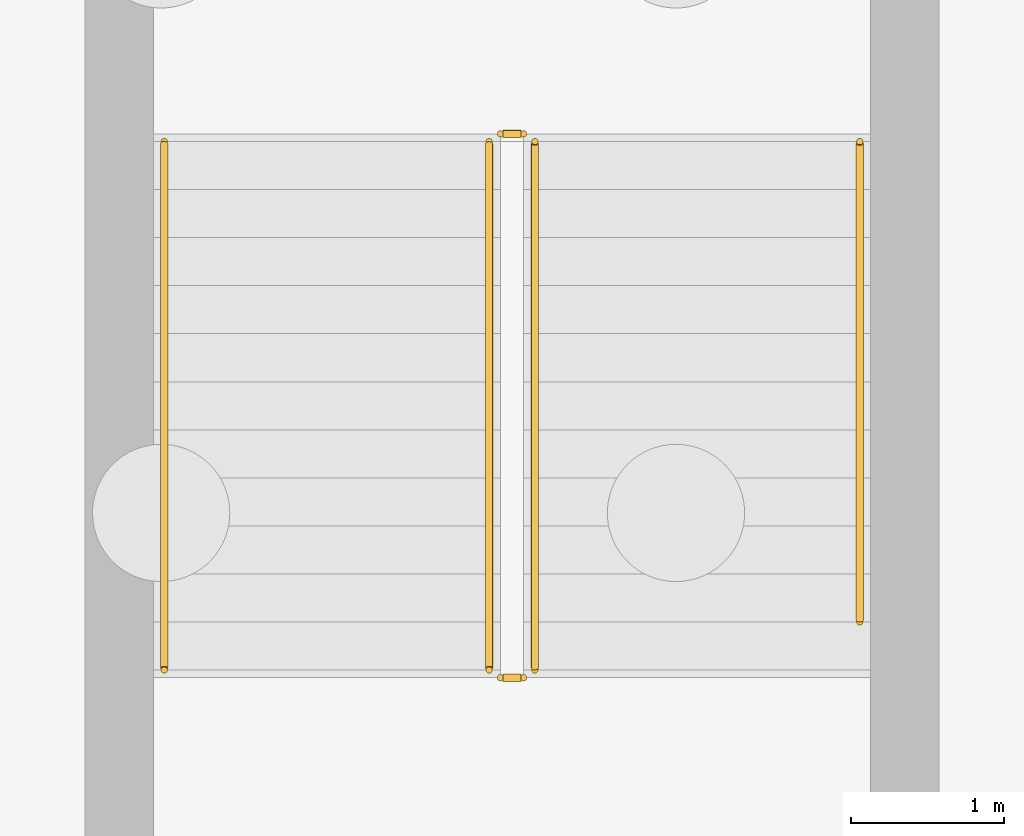
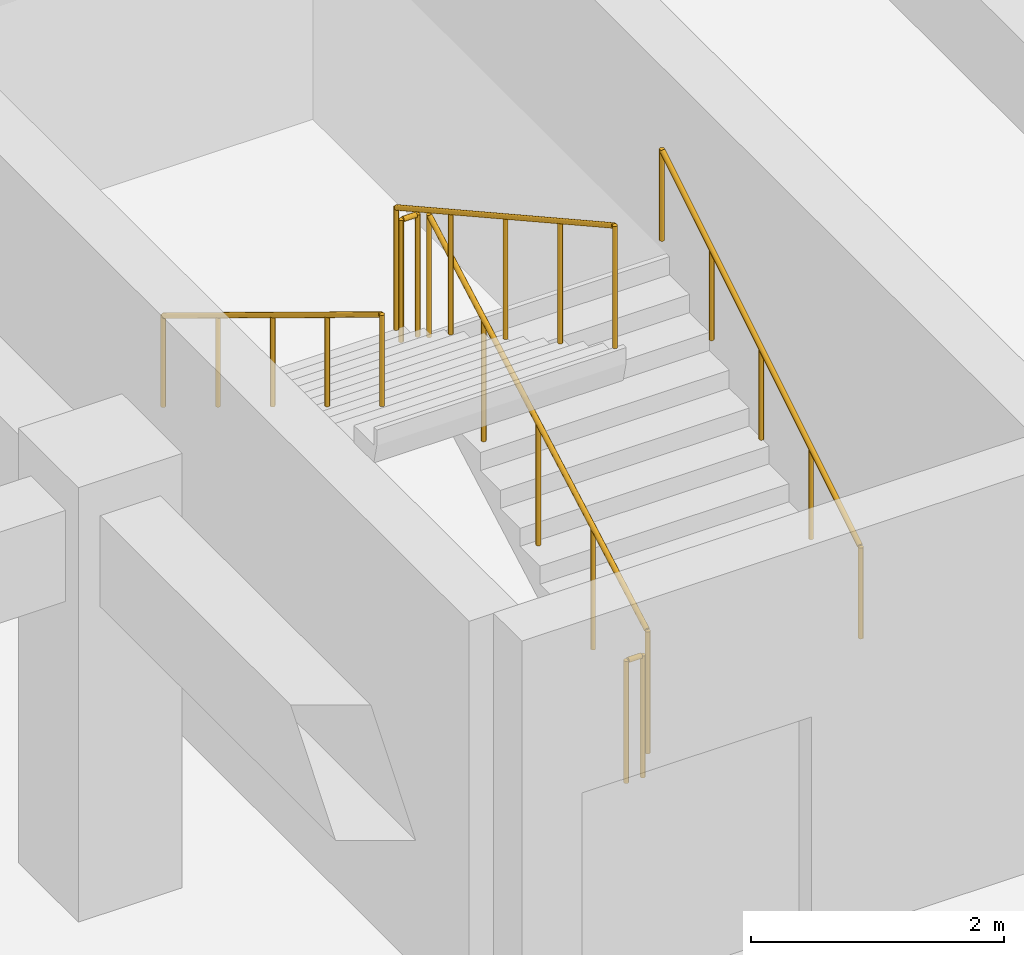
# One storey, part 35 of 39: 6 railings.
"""IFC4 building model written with IfcOpenShell, lengths in metres."""

from ifc_helpers import new_model, si_unit, direction, frame, origin, origin_2d, place, context, subcontext, project, spatial, circle, extrude, material, type_object, element, save


model = new_model("IFC4")

# Units and contexts
model_context = context("Model", 3, precision=1e-05, world=origin(), true_north=direction((0.0, 1.0)))
body_context = subcontext(model_context, "Body", "Model", "MODEL_VIEW")
ifc_project = project(units=[si_unit("LENGTHUNIT", "METRE"), si_unit("AREAUNIT", "SQUARE_METRE"), si_unit("VOLUMEUNIT", "CUBIC_METRE"), si_unit("PLANEANGLEUNIT", "RADIAN"), si_unit("MASSUNIT", "GRAM", prefix="KILO")], contexts=[model_context])

# Site, building, storey
site_placement = place(None, origin())
site = spatial("IfcSite", under=ifc_project, at=site_placement, CompositionType="ELEMENT")
building_placement = place(site_placement, origin())
building = spatial("IfcBuilding", under=site, at=building_placement, Name="Nakhvara Creek Congress Hotel", CompositionType="ELEMENT")
storey_placement = place(building_placement, frame((0.0, 0.0, -8.39990234375)))
storey = spatial("IfcBuildingStorey", under=building, at=storey_placement, Name="B2", CompositionType="ELEMENT", Elevation=-8.39990234375)

# Railings
ifc_material = material(Name="Brushed stainless steel 316L", Category="steel")
railing_type_1 = type_object("IfcRailingType", Name="RL-GUARD-1200", PredefinedType="GUARDRAIL", material=ifc_material)
railing_1_placement = place(storey_placement, frame((119.675048828125, 85.47998046875, 0.1748046875)))
element("IfcRailing", 1, at=railing_1_placement, inside=storey, type_object=railing_type_1, Name="B2 ST09 stair guard 1", PredefinedType="GUARDRAIL", context=body_context, shape_type="SweptSolid", body=[
    extrude(circle(Radius=0.02392578125, at=origin_2d()), frame((0.0, 0.012939453125, 1.18310546875), z_axis=(0.0, 0.874157276122, 0.485642931179), x_axis=(-1.0, 0.0, 0.0)), (0.0, 0.0, 1.0), 3.9345703125),
    extrude(circle(Radius=0.02099609375, at=origin_2d()), origin(), (0.0, 0.0, 1.0), 1.1806640625),
    extrude(circle(Radius=0.02099609375, at=origin_2d()), frame((0.0, 0.8662109375, 0.481201171875)), (0.0, 0.0, 1.0), 1.1806640625),
    extrude(circle(Radius=0.02099609375, at=origin_2d()), frame((0.0, 1.732421875, 0.96240234375)), (0.0, 0.0, 1.0), 1.1806640625),
    extrude(circle(Radius=0.02099609375, at=origin_2d()), frame((0.0, 2.598876953125, 1.44384765625)), (0.0, 0.0, 1.0), 1.1806640625),
    extrude(circle(Radius=0.02099609375, at=origin_2d()), frame((0.0, 3.465087890625, 1.925048828125)), (0.0, 0.0, 1.0), 1.1806640625),
])
railing_2_placement = place(storey_placement, frame((119.60009765625, 88.9951171875, 2.099853515625)))
element("IfcRailing", 2, at=railing_2_placement, inside=storey, type_object=railing_type_1, Name="B2 ST09 stair guard 2", PredefinedType="GUARDRAIL", context=body_context, shape_type="SweptSolid", body=[
    extrude(circle(Radius=0.02392578125, at=origin_2d()), frame((-0.0146484375, 0.0, 1.17578125), z_axis=(-1.0, 0.0, 0.0), x_axis=(0.0, -1.0, 0.0)), (0.0, 0.0, 1.0), 0.120849609375),
    extrude(circle(Radius=0.02099609375, at=origin_2d()), origin(), (0.0, 0.0, 1.0), 1.1806640625),
    extrude(circle(Radius=0.02099609375, at=origin_2d()), frame((-0.150146484375, 0.0, 0.0)), (0.0, 0.0, 1.0), 1.1806640625),
])
railing_3_placement = place(storey_placement, frame((119.375, 88.945068359375, 2.27490234375)))
element("IfcRailing", 3, at=railing_3_placement, inside=storey, type_object=railing_type_1, Name="B2 ST09 stair guard 3", PredefinedType="GUARDRAIL", context=body_context, shape_type="SweptSolid", body=[
    extrude(circle(Radius=0.02392578125, at=origin_2d()), frame((0.0, -0.012939453125, 1.18310546875), z_axis=(0.0, -0.874157276122, 0.485642931179), x_axis=(1.0, 0.0, 0.0)), (0.0, 0.0, 1.0), 3.9345703125),
    extrude(circle(Radius=0.02099609375, at=origin_2d()), origin(), (0.0, 0.0, 1.0), 1.1806640625),
    extrude(circle(Radius=0.02099609375, at=origin_2d()), frame((0.0, -0.8662109375, 0.481201171875)), (0.0, 0.0, 1.0), 1.1806640625),
    extrude(circle(Radius=0.02099609375, at=origin_2d()), frame((0.0, -1.732421875, 0.96240234375)), (0.0, 0.0, 1.0), 1.1806640625),
    extrude(circle(Radius=0.02099609375, at=origin_2d()), frame((0.0, -2.598876953125, 1.44384765625)), (0.0, 0.0, 1.0), 1.1806640625),
    extrude(circle(Radius=0.02099609375, at=origin_2d()), frame((0.0, -3.465087890625, 1.925048828125)), (0.0, 0.0, 1.0), 1.1806640625),
])
railing_4_placement = place(storey_placement, frame((119.60009765625, 85.429931640625, 0.0)))
element("IfcRailing", 4, at=railing_4_placement, inside=storey, type_object=railing_type_1, Name="B2 ST09 stair guard 4", PredefinedType="GUARDRAIL", context=body_context, shape_type="SweptSolid", body=[
    extrude(circle(Radius=0.02392578125, at=origin_2d()), frame((-0.0146484375, 0.0, 1.17578125), z_axis=(-1.0, 0.0, 0.0), x_axis=(0.0, -1.0, 0.0)), (0.0, 0.0, 1.0), 0.120849609375),
    extrude(circle(Radius=0.02099609375, at=origin_2d()), origin(), (0.0, 0.0, 1.0), 1.1806640625),
    extrude(circle(Radius=0.02099609375, at=origin_2d()), frame((-0.150146484375, 0.0, 0.0)), (0.0, 0.0, 1.0), 1.1806640625),
])
railing_type_2 = type_object("IfcRailingType", Name="RL-HAND-900", PredefinedType="HANDRAIL", material=ifc_material)
railing_5_placement = place(storey_placement, frame((121.804931640625, 85.794921875, 0.349853515625)))
element("IfcRailing", 5, at=railing_5_placement, inside=storey, type_object=railing_type_2, Name="B2 ST09 stair handrail 1", PredefinedType="HANDRAIL", context=body_context, shape_type="SweptSolid", body=[
    extrude(circle(Radius=0.02392578125, at=origin_2d()), frame((0.0, 0.012451171875, 0.883544921875), z_axis=(0.0, 0.851961960065, 0.523603684672), x_axis=(-1.0, 0.0, 0.0)), (0.0, 0.0, 1.0), 3.668212890625),
    extrude(circle(Radius=0.02099609375, at=origin_2d()), origin(), (0.0, 0.0, 1.0), 0.880615234375),
    extrude(circle(Radius=0.02099609375, at=origin_2d()), frame((0.0, 0.78759765625, 0.48388671875)), (0.0, 0.0, 1.0), 0.880615234375),
    extrude(circle(Radius=0.02099609375, at=origin_2d()), frame((0.0, 1.5751953125, 0.968017578125)), (0.0, 0.0, 1.0), 0.880615234375),
    extrude(circle(Radius=0.02099609375, at=origin_2d()), frame((0.0, 2.362548828125, 1.4521484375)), (0.0, 0.0, 1.0), 0.880615234375),
    extrude(circle(Radius=0.02099609375, at=origin_2d()), frame((0.0, 3.150146484375, 1.93603515625)), (0.0, 0.0, 1.0), 0.880615234375),
])
railing_6_placement = place(storey_placement, frame((117.2451171875, 88.945068359375, 2.27490234375)))
element("IfcRailing", 6, at=railing_6_placement, inside=storey, type_object=railing_type_2, Name="B2 ST09 stair handrail 2", PredefinedType="HANDRAIL", context=body_context, shape_type="SweptSolid", body=[
    extrude(circle(Radius=0.02392578125, at=origin_2d()), frame((0.0, -0.012451171875, 0.883544921875), z_axis=(0.0, -0.853990507121, 0.520288586985), x_axis=(1.0, 0.0, 0.0)), (0.0, 0.0, 1.0), 4.028076171875),
    extrude(circle(Radius=0.02099609375, at=origin_2d()), origin(), (0.0, 0.0, 1.0), 0.880615234375),
    extrude(circle(Radius=0.02099609375, at=origin_2d()), frame((0.0, -0.8662109375, 0.52783203125)), (0.0, 0.0, 1.0), 0.880615234375),
    extrude(circle(Radius=0.02099609375, at=origin_2d()), frame((0.0, -1.732421875, 1.0556640625)), (0.0, 0.0, 1.0), 0.880615234375),
    extrude(circle(Radius=0.02099609375, at=origin_2d()), frame((0.0, -2.598876953125, 1.583251953125)), (0.0, 0.0, 1.0), 0.880615234375),
    extrude(circle(Radius=0.02099609375, at=origin_2d()), frame((0.0, -3.465087890625, 2.111083984375)), (0.0, 0.0, 1.0), 0.880615234375),
])

save(model, "model.ifc")
